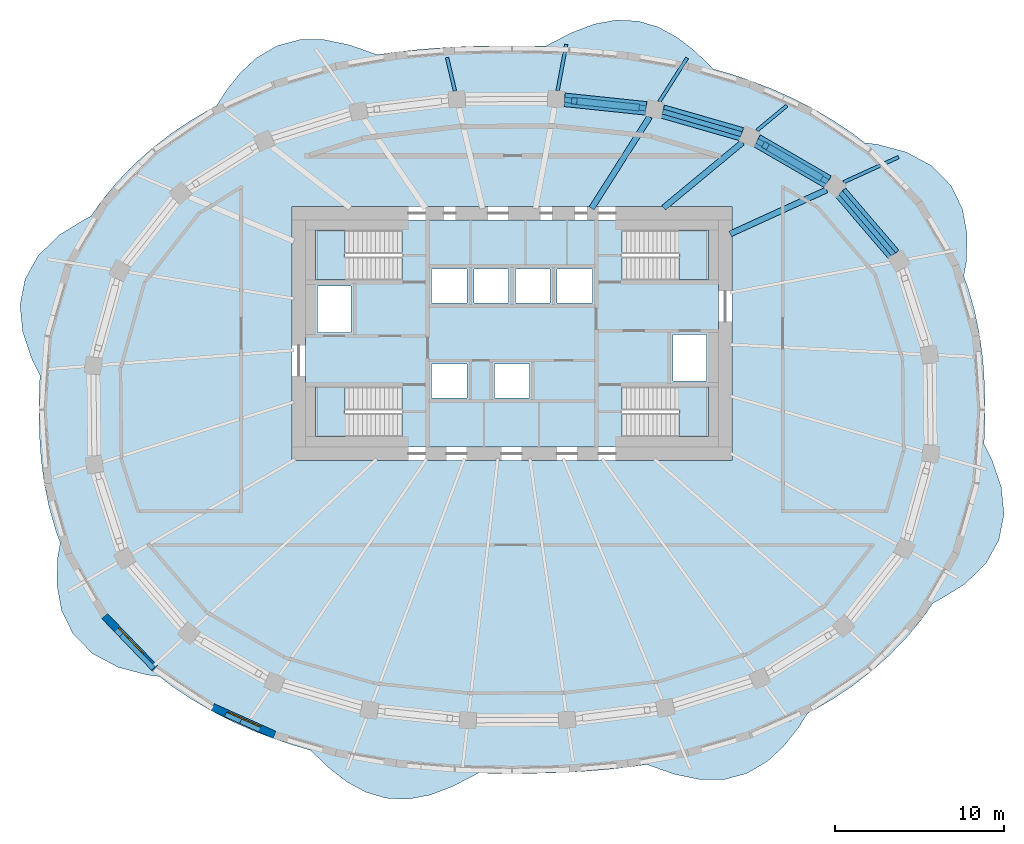
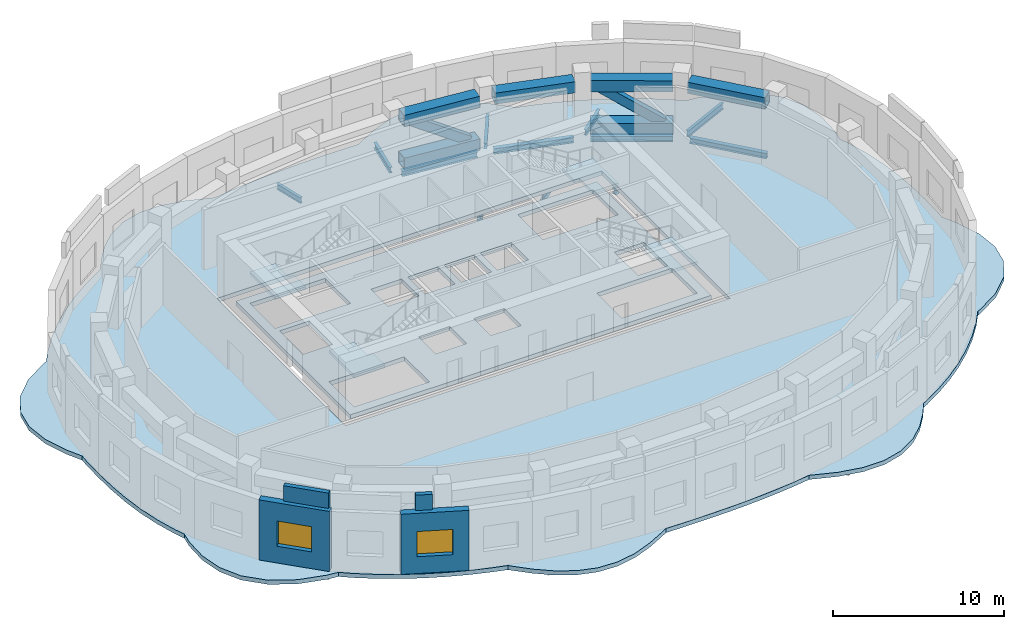
# One storey, part 3 of 9: 12 beams, 8 members, 6 slabs, 4 walls, 2 windows, 2 openings, 4 elements without a shape of their own.
"""IFC4 building model written with IfcOpenShell, lengths in metres."""

from ifc_helpers import new_model, si_unit, direction, frame, frame_2d, origin, origin_2d, place, context, subcontext, project, spatial, polyline, rectangle, hollow_rectangle, i_section, outline, extrude, material, layer, layer_set, material_profile, profile_set, type_object, element, fill, aggregate, save


model = new_model("IFC4")

# Units and contexts
model_context = context("Model", 3, precision=1e-05, world=origin(), true_north=direction((0.0, 1.0)))
body_context = subcontext(model_context, "Body", "Model", "MODEL_VIEW")
ifc_project = project(units=[si_unit("LENGTHUNIT", "METRE"), si_unit("AREAUNIT", "SQUARE_METRE"), si_unit("VOLUMEUNIT", "CUBIC_METRE"), si_unit("PLANEANGLEUNIT", "RADIAN"), si_unit("MASSUNIT", "GRAM", prefix="KILO")], contexts=[model_context])

# Site, building, storey
site_placement = place(None, origin())
site = spatial("IfcSite", under=ifc_project, at=site_placement, CompositionType="ELEMENT")
building_placement = place(site_placement, origin())
building = spatial("IfcBuilding", under=site, at=building_placement, Name="Rubra Terraces Tower", CompositionType="ELEMENT")
storey_placement = place(building_placement, frame((0.0, 0.0, 216.89990234375)))
storey = spatial("IfcBuildingStorey", under=building, at=storey_placement, Name="L53", CompositionType="ELEMENT", Elevation=216.89990234375)

# Members
ifc_material_1 = material(Name="Steel Q355B", Category="steel")
ifc_material_profile_1 = material_profile(ifc_material_1, hollow_rectangle(XDim=0.800048828125, YDim=0.800048828125, WallThickness=0.0400390625, at=origin_2d()), Name="BOX 800x800x40")
ifc_profile_set_1 = profile_set([ifc_material_profile_1], Name="Steel Q355B")
member_type_1 = type_object("IfcMemberType", Name="BELT TRUSS BOTTOM CHORD R5 BOX 800x800x40", PredefinedType="CHORD", material=ifc_profile_set_1)
member_1_placement = place(storey_placement, frame((18.658935546875, 13.4599609375, 0.400146484375), z_axis=(-0.86517269903, 0.501474028095, 0.0), x_axis=(-0.501474028095, -0.86517269903, 0.0)))
element("IfcMember", 1, at=member_1_placement, inside=storey, type_object=member_type_1, Name="BELT TRUSS CHORD R5", PredefinedType="CHORD", context=body_context, shape_type="SweptSolid", body=[
    extrude(hollow_rectangle(XDim=0.800048828125, YDim=0.800048828125, WallThickness=0.0400390625, at=origin_2d()), origin(), (0.0, 0.0, 1.0), 4.8359375),
])
member_2_placement = place(storey_placement, frame((7.925048828125, 17.801025390625, 0.400146484375), z_axis=(-0.9945719697, 0.10405093506, 0.0), x_axis=(-0.10405093506, -0.9945719697, 0.0)))
element("IfcMember", 2, at=member_2_placement, inside=storey, type_object=member_type_1, Name="BELT TRUSS CHORD R5", PredefinedType="CHORD", context=body_context, shape_type="SweptSolid", body=[
    extrude(hollow_rectangle(XDim=0.800048828125, YDim=0.800048828125, WallThickness=0.0400390625, at=origin_2d()), origin(), (0.0, 0.0, 1.0), 4.852294921875),
])
ifc_material_profile_2 = material_profile(ifc_material_1, hollow_rectangle(XDim=0.39990234375, YDim=0.60009765625, WallThickness=0.02490234375, at=origin_2d()), Name="BOX 600x400x25")
ifc_profile_set_2 = profile_set([ifc_material_profile_2], Name="Steel Q355B")
member_type_2 = type_object("IfcMemberType", Name="BELT TRUSS DIAGONAL R5 BOX 600x400x25", PredefinedType="BRACE", material=ifc_profile_set_2)
member_3_placement = place(storey_placement, frame((18.156982421875, 13.7509765625, 0.7001953125), z_axis=(-0.719557663627, 0.417039600976, 0.555260965613), x_axis=(-0.501444689065, -0.865189703943, 0.0)))
element("IfcMember", 3, at=member_3_placement, inside=storey, type_object=member_type_2, Name="BELT TRUSS DIAGONAL R5", PredefinedType="BRACE", context=body_context, shape_type="SweptSolid", body=[
    extrude(hollow_rectangle(XDim=0.39990234375, YDim=0.60009765625, WallThickness=0.02490234375, at=origin_2d()), origin(), (0.0, 0.0, 1.0), 4.419189453125),
])
member_4_placement = place(storey_placement, frame((7.345947265625, 17.862060546875, 0.7001953125), z_axis=(-0.828042073999, 0.086474841194, 0.553957061087), x_axis=(-0.103868038847, -0.994591087084, 0.0)))
element("IfcMember", 4, at=member_4_placement, inside=storey, type_object=member_type_2, Name="BELT TRUSS DIAGONAL R5", PredefinedType="BRACE", context=body_context, shape_type="SweptSolid", body=[
    extrude(hollow_rectangle(XDim=0.39990234375, YDim=0.60009765625, WallThickness=0.02490234375, at=origin_2d()), origin(), (0.0, 0.0, 1.0), 4.4296875),
])
ifc_material_profile_3 = material_profile(ifc_material_1, hollow_rectangle(XDim=0.800048828125, YDim=0.800048828125, WallThickness=0.0400390625, at=origin_2d()), Name="BOX 800x800x40")
ifc_profile_set_3 = profile_set([ifc_material_profile_3], Name="Steel Q355B")
member_type_3 = type_object("IfcMemberType", Name="BELT TRUSS TOP CHORD R5 BOX 800x800x40", PredefinedType="CHORD", material=ifc_profile_set_3)
member_5_placement = place(storey_placement, frame((22.553955078125, 9.1669921875, 3.4541015625), z_axis=(-0.650553675179, 0.759460279219, 0.0), x_axis=(-0.759460279219, -0.650553675179, 0.0)))
element("IfcMember", 5, at=member_5_placement, inside=storey, type_object=member_type_3, Name="BELT TRUSS CHORD R5", PredefinedType="CHORD", context=body_context, shape_type="SweptSolid", body=[
    extrude(hollow_rectangle(XDim=0.800048828125, YDim=0.800048828125, WallThickness=0.0400390625, at=origin_2d()), origin(), (0.0, 0.0, 1.0), 4.822021484375),
])
member_6_placement = place(storey_placement, frame((18.658935546875, 13.4599609375, 3.4541015625), z_axis=(-0.86517269903, 0.501474028095, 0.0), x_axis=(-0.501474028095, -0.86517269903, 0.0)))
element("IfcMember", 6, at=member_6_placement, inside=storey, type_object=member_type_3, Name="BELT TRUSS CHORD R5", PredefinedType="CHORD", context=body_context, shape_type="SweptSolid", body=[
    extrude(hollow_rectangle(XDim=0.800048828125, YDim=0.800048828125, WallThickness=0.0400390625, at=origin_2d()), origin(), (0.0, 0.0, 1.0), 4.8359375),
])
member_7_placement = place(storey_placement, frame((13.56103515625, 16.27392578125, 3.4541015625), z_axis=(-0.961179095987, 0.275925253353, 0.0), x_axis=(-0.275925253353, -0.961179095987, 0.0)))
element("IfcMember", 7, at=member_7_placement, inside=storey, type_object=member_type_3, Name="BELT TRUSS CHORD R5", PredefinedType="CHORD", context=body_context, shape_type="SweptSolid", body=[
    extrude(hollow_rectangle(XDim=0.800048828125, YDim=0.800048828125, WallThickness=0.0400390625, at=origin_2d()), origin(), (0.0, 0.0, 1.0), 4.84619140625),
])
member_8_placement = place(storey_placement, frame((7.925048828125, 17.801025390625, 3.4541015625), z_axis=(-0.9945719697, 0.10405093506, 0.0), x_axis=(-0.10405093506, -0.9945719697, 0.0)))
element("IfcMember", 8, at=member_8_placement, inside=storey, type_object=member_type_3, Name="BELT TRUSS CHORD R5", PredefinedType="CHORD", context=body_context, shape_type="SweptSolid", body=[
    extrude(hollow_rectangle(XDim=0.800048828125, YDim=0.800048828125, WallThickness=0.0400390625, at=origin_2d()), origin(), (0.0, 0.0, 1.0), 4.852294921875),
])

# Beams
ifc_material_profile_4 = material_profile(ifc_material_1, i_section(OverallWidth=0.199951171875, OverallDepth=0.39990234375, WebThickness=0.008056640625, FlangeThickness=0.012939453125, at=origin_2d()), Name="HN 400x200x8x13")
ifc_profile_set_4 = profile_set([ifc_material_profile_4], Name="Steel Q355B")
beam_type_1 = type_object("IfcBeamType", Name="CANTILEVER BEAM HN 400x200x8x13", PredefinedType="BEAM", material=ifc_profile_set_4)
beam_1_placement = place(storey_placement, frame((14.47509765625, 16.4951171875, -0.5), z_axis=(0.769939283083, 0.63811715254, 0.0), x_axis=(-0.63811715254, 0.769939283083, 0.0)))
element("IfcBeam", 9, at=beam_1_placement, inside=storey, type_object=beam_type_1, Name="beam-L53-cant-04", PredefinedType="BEAM", context=body_context, shape_type="SweptSolid", body=[
    extrude(i_section(OverallWidth=0.199951171875, OverallDepth=0.39990234375, WebThickness=0.008056640625, FlangeThickness=0.012939453125, at=origin_2d()), origin(), (0.0, 0.0, 1.0), 2.291015625),
])
beam_2_placement = place(storey_placement, frame((8.7099609375, 18.201904296875, -0.5), z_axis=(0.536555231363, 0.843865204696, 0.0), x_axis=(-0.843865204696, 0.536555231363, 0.0)))
element("IfcBeam", 10, at=beam_2_placement, inside=storey, type_object=beam_type_1, Name="beam-L53-cant-05", PredefinedType="BEAM", context=body_context, shape_type="SweptSolid", body=[
    extrude(i_section(OverallWidth=0.199951171875, OverallDepth=0.39990234375, WebThickness=0.008056640625, FlangeThickness=0.012939453125, at=origin_2d()), origin(), (0.0, 0.0, 1.0), 3.05859375),
])
beam_3_placement = place(storey_placement, frame((2.695068359375, 18.85400390625, -0.5), z_axis=(0.184719314681, 0.982791318024, 0.0), x_axis=(-0.982791318024, 0.184719314681, 0.0)))
element("IfcBeam", 11, at=beam_3_placement, inside=storey, type_object=beam_type_1, Name="beam-L53-cant-06", PredefinedType="BEAM", context=body_context, shape_type="SweptSolid", body=[
    extrude(i_section(OverallWidth=0.199951171875, OverallDepth=0.39990234375, WebThickness=0.008056640625, FlangeThickness=0.012939453125, at=origin_2d()), origin(), (0.0, 0.0, 1.0), 2.771484375),
])
beam_4_placement = place(storey_placement, frame((-3.3701171875, 18.823974609375, -0.5), z_axis=(-0.229146211708, 0.97339201438, 0.0), x_axis=(-0.97339201438, -0.229146211708, 0.0)))
element("IfcBeam", 12, at=beam_4_placement, inside=storey, type_object=beam_type_1, Name="beam-L53-cant-07", PredefinedType="BEAM", context=body_context, shape_type="SweptSolid", body=[
    extrude(i_section(OverallWidth=0.199951171875, OverallDepth=0.39990234375, WebThickness=0.008056640625, FlangeThickness=0.012939453125, at=origin_2d()), origin(), (0.0, 0.0, 1.0), 2.037109375),
])
ifc_material_profile_5 = material_profile(ifc_material_1, i_section(OverallWidth=0.198974609375, OverallDepth=0.446044921875, WebThickness=0.008056640625, FlangeThickness=0.011962890625, at=origin_2d()), Name="HN 446x199x8x12")
ifc_profile_set_5 = profile_set([ifc_material_profile_5], Name="Steel Q355B")
beam_type_2 = type_object("IfcBeamType", Name="CANTILEVER BEAM HN 446x199x8x12", PredefinedType="BEAM", material=ifc_profile_set_5)
beam_5_placement = place(storey_placement, frame((19.596923828125, 13.43896484375, -0.52294921875), z_axis=(0.909750987553, 0.415154357614, 0.0), x_axis=(-0.415154357614, 0.909750987553, 0.0)))
element("IfcBeam", 13, at=beam_5_placement, inside=storey, type_object=beam_type_2, Name="beam-L53-cant-03", PredefinedType="BEAM", context=body_context, shape_type="SweptSolid", body=[
    extrude(i_section(OverallWidth=0.198974609375, OverallDepth=0.446044921875, WebThickness=0.008056640625, FlangeThickness=0.011962890625, at=origin_2d()), origin(), (0.0, 0.0, 1.0), 3.56494140625),
])
ifc_material_profile_6 = material_profile(ifc_material_1, i_section(OverallWidth=0.35009765625, OverallDepth=0.35009765625, WebThickness=0.011962890625, FlangeThickness=0.01904296875, at=origin_2d()), Name="HW 350x350x12x19")
ifc_profile_set_6 = profile_set([ifc_material_profile_6], Name="Steel Q355B")
beam_type_3 = type_object("IfcBeamType", Name="FLOOR BEAM HW 350x350x12x19", PredefinedType="BEAM", material=ifc_profile_set_6)
beam_6_placement = place(storey_placement, frame((18.5869140625, 12.97900390625, -0.474853515625), z_axis=(-0.909756526533, -0.415142219523, 0.0), x_axis=(0.415142219523, -0.909756526533, 0.0)))
element("IfcBeam", 14, at=beam_6_placement, inside=storey, type_object=beam_type_3, Name="beam-L53-floor-03", PredefinedType="BEAM", context=body_context, shape_type="SweptSolid", body=[
    extrude(i_section(OverallWidth=0.35009765625, OverallDepth=0.35009765625, WebThickness=0.011962890625, FlangeThickness=0.01904296875, at=origin_2d()), origin(), (0.0, 0.0, 1.0), 6.2607421875),
])
beam_7_placement = place(storey_placement, frame((13.60888671875, 15.777099609375, -0.474853515625), z_axis=(-0.769987518392, -0.638058948312, 0.0), x_axis=(0.638058948312, -0.769987518392, 0.0)))
element("IfcBeam", 15, at=beam_7_placement, inside=storey, type_object=beam_type_3, Name="beam-L53-floor-04", PredefinedType="BEAM", context=body_context, shape_type="SweptSolid", body=[
    extrude(i_section(OverallWidth=0.35009765625, OverallDepth=0.35009765625, WebThickness=0.011962890625, FlangeThickness=0.01904296875, at=origin_2d()), origin(), (0.0, 0.0, 1.0), 6.040283203125),
])
beam_8_placement = place(storey_placement, frame((8.134033203125, 17.2958984375, -0.474853515625), z_axis=(-0.536509861106, -0.843894050776, 0.0), x_axis=(0.843894050776, -0.536509861106, 0.0)))
element("IfcBeam", 16, at=beam_8_placement, inside=storey, type_object=beam_type_3, Name="beam-L53-floor-05", PredefinedType="BEAM", context=body_context, shape_type="SweptSolid", body=[
    extrude(i_section(OverallWidth=0.35009765625, OverallDepth=0.35009765625, WebThickness=0.011962890625, FlangeThickness=0.01904296875, at=origin_2d()), origin(), (0.0, 0.0, 1.0), 6.395263671875),
])
ifc_material_profile_7 = material_profile(ifc_material_1, i_section(OverallWidth=0.300048828125, OverallDepth=0.389892578125, WebThickness=0.010009765625, FlangeThickness=0.01611328125, at=origin_2d()), Name="HM 390x300x10x16")
ifc_profile_set_7 = profile_set([ifc_material_profile_7], Name="Steel Q355B")
beam_type_4 = type_object("IfcBeamType", Name="SPANDREL BEAM HM 390x300x10x16", PredefinedType="SPANDREL", material=ifc_profile_set_7)
beam_9_placement = place(storey_placement, frame((22.547119140625, 9.174072265625, -0.494873046875), z_axis=(-0.650372836218, 0.759615148552, 0.0), x_axis=(-0.759615148552, -0.650372836218, 0.0)))
element("IfcBeam", 17, at=beam_9_placement, inside=storey, type_object=beam_type_4, Name="beam-L53-spandrel-02", PredefinedType="SPANDREL", context=body_context, shape_type="SweptSolid", body=[
    extrude(i_section(OverallWidth=0.300048828125, OverallDepth=0.389892578125, WebThickness=0.010009765625, FlangeThickness=0.01611328125, at=origin_2d()), origin(), (0.0, 0.0, 1.0), 4.804931640625),
])
beam_10_placement = place(storey_placement, frame((18.653076171875, 13.462890625, -0.494873046875), z_axis=(-0.865153680787, 0.501506838059, 0.0), x_axis=(-0.501506838059, -0.865153680787, 0.0)))
element("IfcBeam", 18, at=beam_10_placement, inside=storey, type_object=beam_type_4, Name="beam-L53-spandrel-03", PredefinedType="SPANDREL", context=body_context, shape_type="SweptSolid", body=[
    extrude(i_section(OverallWidth=0.300048828125, OverallDepth=0.389892578125, WebThickness=0.010009765625, FlangeThickness=0.01611328125, at=origin_2d()), origin(), (0.0, 0.0, 1.0), 4.82568359375),
])
beam_11_placement = place(storey_placement, frame((13.55810546875, 16.27490234375, -0.494873046875), z_axis=(-0.961171164323, 0.275952881621, 0.0), x_axis=(-0.275952881621, -0.961171164323, 0.0)))
element("IfcBeam", 19, at=beam_11_placement, inside=storey, type_object=beam_type_4, Name="beam-L53-spandrel-04", PredefinedType="SPANDREL", context=body_context, shape_type="SweptSolid", body=[
    extrude(i_section(OverallWidth=0.300048828125, OverallDepth=0.389892578125, WebThickness=0.010009765625, FlangeThickness=0.01611328125, at=origin_2d()), origin(), (0.0, 0.0, 1.0), 4.842041015625),
])
beam_12_placement = place(storey_placement, frame((7.923095703125, 17.801025390625, -0.494873046875), z_axis=(-0.994565426955, 0.104113454971, 0.0), x_axis=(-0.104113454971, -0.994565426955, 0.0)))
element("IfcBeam", 20, at=beam_12_placement, inside=storey, type_object=beam_type_4, Name="beam-L53-spandrel-05", PredefinedType="SPANDREL", context=body_context, shape_type="SweptSolid", body=[
    extrude(i_section(OverallWidth=0.300048828125, OverallDepth=0.389892578125, WebThickness=0.010009765625, FlangeThickness=0.01611328125, at=origin_2d()), origin(), (0.0, 0.0, 1.0), 4.849365234375),
])

# Slab
ifc_material_2 = material(Name="Concrete C40", Category="concrete")
ifc_layer_1 = layer(ifc_material_2, 0.300048828125)
ifc_layer_set_1 = layer_set([ifc_layer_1], Name="Concrete C40")
slab_type_1 = type_object("IfcSlabType", Name="Core floor slab 300 concrete", PredefinedType="FLOOR", material=ifc_layer_set_1)
slab_1_placement = place(storey_placement, frame((0.0, 0.0, -0.2998046875)))
element("IfcSlab", 21, at=slab_1_placement, inside=storey, type_object=slab_type_1, Name="CORE FLOOR SLAB L53", PredefinedType="FLOOR", context=body_context, shape_type="SweptSolid", body=[
    extrude(outline(polyline([(-12.199951171875, -2.199951171875), (-12.199951171875, 11.199951171875), (12.199951171875, 11.199951171875), (12.199951171875, -2.199951171875), (-12.199951171875, -2.199951171875)]), holes=[polyline([(11.597900390625, 1.347900390625), (6.501953125, 1.347900390625), (6.501953125, -1.597900390625), (11.597900390625, -1.597900390625), (11.597900390625, 1.347900390625)]), polyline([(11.597900390625, 7.652099609375), (11.597900390625, 10.597900390625), (6.501953125, 10.597900390625), (6.501953125, 7.652099609375), (11.597900390625, 7.652099609375)]), polyline([(9.5, 1.699951171875), (11.5, 1.699951171875), (11.5, 4.449951171875), (9.5, 4.449951171875), (9.5, 1.699951171875)]), polyline([(4.75, 6.300048828125), (4.75, 8.300048828125), (2.64990234375, 8.300048828125), (2.64990234375, 6.300048828125), (4.75, 6.300048828125)]), polyline([(2.25, 8.300048828125), (0.199951171875, 8.300048828125), (0.199951171875, 6.300048828125), (2.25, 6.300048828125), (2.25, 8.300048828125)]), polyline([(1.02490234375, 0.699951171875), (1.02490234375, 2.699951171875), (-1.02490234375, 2.699951171875), (-1.02490234375, 0.699951171875), (1.02490234375, 0.699951171875)]), polyline([(-0.199951171875, 6.300048828125), (-0.199951171875, 8.300048828125), (-2.25, 8.300048828125), (-2.25, 6.300048828125), (-0.199951171875, 6.300048828125)]), polyline([(-4.75, 8.300048828125), (-4.75, 6.300048828125), (-2.64990234375, 6.300048828125), (-2.64990234375, 8.300048828125), (-4.75, 8.300048828125)]), polyline([(-2.64990234375, 0.699951171875), (-2.64990234375, 2.699951171875), (-4.75, 2.699951171875), (-4.75, 0.699951171875), (-2.64990234375, 0.699951171875)]), polyline([(-11.597900390625, -1.597900390625), (-6.501953125, -1.597900390625), (-6.501953125, 1.347900390625), (-11.597900390625, 1.347900390625), (-11.597900390625, -1.597900390625)]), polyline([(-11.597900390625, 10.597900390625), (-11.597900390625, 7.652099609375), (-6.501953125, 7.652099609375), (-6.501953125, 10.597900390625), (-11.597900390625, 10.597900390625)]), polyline([(-9.5, 4.550048828125), (-9.5, 7.300048828125), (-11.5, 7.300048828125), (-11.5, 4.550048828125), (-9.5, 4.550048828125)])]), origin(), (0.0, 0.0, 1.0), 0.2998046875),
])

# Stair, slab
stair_type = type_object("IfcStairType", Name="Core stair 1400", PredefinedType="HALF_TURN_STAIR", material=ifc_material_2)
stair_1_placement = place(storey_placement, origin())
stair_1 = element("IfcStair", 22, at=stair_1_placement, inside=storey, type_object=stair_type, Name="L53 Exit stair S1", PredefinedType="HALF_TURN_STAIR")
ifc_layer_2 = layer(ifc_material_2, 0.199951171875)
ifc_layer_set_2 = layer_set([ifc_layer_2], Name="Concrete C40")
slab_type_2 = type_object("IfcSlabType", Name="Core stair landing 200", PredefinedType="LANDING", material=ifc_layer_set_2)
slab_2_placement = place(storey_placement, frame((0.0, 0.0, 2.050048828125)))
slab_2 = element("IfcSlab", 23, at=slab_2_placement, type_object=slab_type_2, Name="S1 landing 1", PredefinedType="LANDING", context=body_context, shape_type="SweptSolid", body=[
    extrude(outline(polyline([(-9.5, -0.199951171875), (-9.5, -1.60009765625), (-9.8798828125, -1.60009765625), (-9.89990234375, -1.60009765625), (-11.60009765625, -1.60009765625), (-11.60009765625, 1.35009765625), (-9.89990234375, 1.35009765625), (-9.8779296875, 1.35009765625), (-9.8779296875, -0.050048828125), (-9.8798828125, -0.050048828125), (-9.8798828125, -0.199951171875), (-9.5, -0.199951171875)])), origin(), (0.0, 0.0, 1.0), 0.199951171875),
])
aggregate(stair_1, [slab_2])

stair_2_placement = place(storey_placement, origin())
stair_2 = element("IfcStair", 24, at=stair_2_placement, inside=storey, type_object=stair_type, Name="L53 Exit stair S2", PredefinedType="HALF_TURN_STAIR")
slab_3_placement = place(storey_placement, frame((0.0, 0.0, 2.050048828125)))
slab_3 = element("IfcSlab", 25, at=slab_3_placement, type_object=slab_type_2, Name="S2 landing 1", PredefinedType="LANDING", context=body_context, shape_type="SweptSolid", body=[
    extrude(outline(polyline([(-9.5, 9.050048828125), (-9.5, 7.64990234375), (-9.89990234375, 7.64990234375), (-11.60009765625, 7.64990234375), (-11.60009765625, 10.60009765625), (-9.89990234375, 10.60009765625), (-9.8798828125, 10.60009765625), (-9.8779296875, 10.60009765625), (-9.8779296875, 9.199951171875), (-9.8798828125, 9.199951171875), (-9.8798828125, 9.050048828125), (-9.5, 9.050048828125)])), origin(), (0.0, 0.0, 1.0), 0.199951171875),
])
aggregate(stair_2, [slab_3])

stair_3_placement = place(storey_placement, origin())
stair_3 = element("IfcStair", 26, at=stair_3_placement, inside=storey, type_object=stair_type, Name="L53 Exit stair S3", PredefinedType="HALF_TURN_STAIR")
slab_4_placement = place(storey_placement, frame((0.0, 0.0, 2.050048828125)))
slab_4 = element("IfcSlab", 27, at=slab_4_placement, type_object=slab_type_2, Name="S3 landing 1", PredefinedType="LANDING", context=body_context, shape_type="SweptSolid", body=[
    extrude(outline(polyline([(9.8798828125, 9.050048828125), (9.8798828125, 9.199951171875), (9.5, 9.199951171875), (9.5, 10.60009765625), (9.8798828125, 10.60009765625), (9.89990234375, 10.60009765625), (11.60009765625, 10.60009765625), (11.60009765625, 7.64990234375), (9.89990234375, 7.64990234375), (9.8779296875, 7.64990234375), (9.8779296875, 9.050048828125), (9.8798828125, 9.050048828125)])), origin(), (0.0, 0.0, 1.0), 0.199951171875),
])
aggregate(stair_3, [slab_4])

stair_4_placement = place(storey_placement, origin())
stair_4 = element("IfcStair", 28, at=stair_4_placement, inside=storey, type_object=stair_type, Name="L53 Exit stair S4", PredefinedType="HALF_TURN_STAIR")
slab_5_placement = place(storey_placement, frame((0.0, 0.0, 2.050048828125)))
slab_5 = element("IfcSlab", 29, at=slab_5_placement, type_object=slab_type_2, Name="S4 landing 1", PredefinedType="LANDING", context=body_context, shape_type="SweptSolid", body=[
    extrude(outline(polyline([(9.8798828125, -0.199951171875), (9.8798828125, -0.050048828125), (9.5, -0.050048828125), (9.5, 1.35009765625), (9.8798828125, 1.35009765625), (9.89990234375, 1.35009765625), (11.60009765625, 1.35009765625), (11.60009765625, -1.60009765625), (9.89990234375, -1.60009765625), (9.8798828125, -1.60009765625), (9.8779296875, -1.60009765625), (9.8779296875, -0.199951171875), (9.8798828125, -0.199951171875)])), origin(), (0.0, 0.0, 1.0), 0.199951171875),
])
aggregate(stair_4, [slab_5])

# Slab
ifc_layer_3 = layer(ifc_material_2, 0.300048828125)
ifc_layer_set_3 = layer_set([ifc_layer_3], Name="Concrete C40")
slab_type_3 = type_object("IfcSlabType", Name="FLOOR SLAB 300 COMPOSITE", PredefinedType="FLOOR", material=ifc_layer_set_3)
slab_6_placement = place(storey_placement, frame((0.0, 0.0, -0.2998046875)))
element("IfcSlab", 30, at=slab_6_placement, inside=storey, type_object=slab_type_3, Name="FLOOR SLAB L53", PredefinedType="FLOOR", context=body_context, shape_type="SweptSolid", body=[
    extrude(outline(polyline([(-2.3291015625, -21.662109375), (-2.001953125, -21.47607421875), (-1.132080078125, -21.493896484375), (0.0, -21.5), (1.132080078125, -21.493896484375), (2.262939453125, -21.470947265625), (3.39404296875, -21.427001953125), (4.552978515625, -21.35498046875), (5.7099609375, -21.256103515625), (6.864013671875, -21.1259765625), (7.97705078125, -20.967041015625), (8.09912109375, -21.01806640625), (9.613037109375, -21.552001953125), (11.14208984375, -21.866943359375), (12.552978515625, -21.85595703125), (13.886962890625, -21.4951171875), (15.10009765625, -20.782958984375), (16.069091796875, -19.883056640625), (16.9140625, -18.81005859375), (17.4599609375, -17.950927734375), (17.784912109375, -17.784912109375), (18.990966796875, -17.077880859375), (20.15087890625, -16.298095703125), (21.256103515625, -15.444091796875), (22.327880859375, -14.489013671875), (23.324951171875, -13.45703125), (24.239013671875, -12.35009765625), (25.071044921875, -11.157958984375), (24.89599609375, -11.408935546875), (25.175048828125, -11.283935546875), (26.72509765625, -10.337890625), (28.0, -9.097900390625), (28.77099609375, -7.715087890625), (29.072021484375, -6.176025390625), (28.912109375, -4.5791015625), (28.365966796875, -2.970947265625), (27.887939453125, -2.013916015625), (27.925048828125, -1.464111328125), (27.949951171875, 0.0), (27.925048828125, 1.464111328125), (27.825927734375, 2.925048828125), (27.635009765625, 4.376953125), (27.342041015625, 5.81005859375), (26.93994140625, 7.217041015625), (26.693115234375, 7.8720703125), (26.843994140625, 8.721923828125), (26.89794921875, 10.322021484375), (26.618896484375, 11.860107421875), (25.9541015625, 13.22412109375), (24.791015625, 14.4169921875), (23.280029296875, 15.22412109375), (21.576904296875, 15.677001953125), (20.8369140625, 15.76806640625), (20.15087890625, 16.298095703125), (18.990966796875, 17.077880859375), (17.784912109375, 17.784912109375), (16.591064453125, 18.39599609375), (15.365966796875, 18.944091796875), (14.115966796875, 19.428955078125), (12.906982421875, 19.8359375), (11.885986328125, 20.132080078125), (11.72509765625, 20.303955078125), (10.798095703125, 21.19189453125), (9.7509765625, 22.001953125), (8.634033203125, 22.60888671875), (7.4599609375, 22.958984375), (6.156982421875, 23.02197265625), (4.837890625, 22.77490234375), (3.528076171875, 22.27490234375), (2.3291015625, 21.662109375), (2.001953125, 21.47607421875), (1.132080078125, 21.493896484375), (0.0, 21.5), (-1.132080078125, 21.493896484375), (-2.262939453125, 21.470947265625), (-3.39404296875, 21.427001953125), (-4.552978515625, 21.35498046875), (-5.7099609375, 21.256103515625), (-6.864013671875, 21.1259765625), (-7.97705078125, 20.967041015625), (-8.09912109375, 21.01806640625), (-9.613037109375, 21.552001953125), (-11.14208984375, 21.866943359375), (-12.552978515625, 21.85595703125), (-13.886962890625, 21.4951171875), (-15.10009765625, 20.782958984375), (-16.069091796875, 19.883056640625), (-16.9140625, 18.81005859375), (-17.4599609375, 17.950927734375), (-17.784912109375, 17.784912109375), (-18.990966796875, 17.077880859375), (-20.15087890625, 16.298095703125), (-21.256103515625, 15.444091796875), (-22.327880859375, 14.489013671875), (-23.324951171875, 13.45703125), (-24.239013671875, 12.35009765625), (-25.071044921875, 11.157958984375), (-24.89599609375, 11.408935546875), (-25.175048828125, 11.283935546875), (-26.72509765625, 10.337890625), (-28.0, 9.097900390625), (-28.77099609375, 7.715087890625), (-29.072021484375, 6.176025390625), (-28.912109375, 4.5791015625), (-28.365966796875, 2.970947265625), (-27.887939453125, 2.013916015625), (-27.925048828125, 1.464111328125), (-27.949951171875, 0.0), (-27.925048828125, -1.464111328125), (-27.825927734375, -2.925048828125), (-27.635009765625, -4.376953125), (-27.342041015625, -5.81005859375), (-26.93994140625, -7.217041015625), (-26.693115234375, -7.8720703125), (-26.843994140625, -8.721923828125), (-26.89794921875, -10.322021484375), (-26.618896484375, -11.860107421875), (-25.9541015625, -13.22412109375), (-24.791015625, -14.4169921875), (-23.280029296875, -15.22412109375), (-21.576904296875, -15.677001953125), (-20.8369140625, -15.76806640625), (-20.15087890625, -16.298095703125), (-18.990966796875, -17.077880859375), (-17.784912109375, -17.784912109375), (-16.591064453125, -18.39599609375), (-15.365966796875, -18.944091796875), (-14.115966796875, -19.428955078125), (-12.906982421875, -19.8359375), (-11.885986328125, -20.132080078125), (-11.72509765625, -20.303955078125), (-10.798095703125, -21.19189453125), (-9.7509765625, -22.001953125), (-8.634033203125, -22.60888671875), (-7.4599609375, -22.958984375), (-6.156982421875, -23.02197265625), (-4.837890625, -22.77490234375), (-3.528076171875, -22.27490234375), (-2.3291015625, -21.662109375)]), holes=[polyline([(13.0, 12.0), (13.0, -3.0), (-13.0, -3.0), (-13.0, 12.0), (13.0, 12.0)])]), origin(), (0.0, 0.0, 1.0), 0.2998046875),
])

# Wall, opening, window
ifc_material_3 = material(Name="Brick masonry red-brown", Category="masonry")
ifc_layer_4 = layer(ifc_material_3, 0.449951171875)
ifc_layer_set_4 = layer_set([ifc_layer_4], Name="Brick masonry red-brown")
wall_type_1 = type_object("IfcWallType", Name="Brick facade wall 450", PredefinedType="SOLIDWALL", material=ifc_layer_set_4)
wall_1_placement = place(storey_placement, frame((-24.076904296875, -12.19384765625, 0.0), z_axis=(0.0, 0.0, 1.0), x_axis=(0.69406513137, -0.719912212298, 0.0)))
wall_1 = element("IfcWall", 31, at=wall_1_placement, inside=storey, type_object=wall_type_1, Name="Facade wall L53 bay 24", PredefinedType="SOLIDWALL", context=body_context, shape_type="SweptSolid", body=[
    extrude(rectangle(XDim=4.2978515625, YDim=0.449951171875, at=frame_2d((2.14892578125, 0.0))), origin(), (0.0, 0.0, 1.0), 4.300048828125),
])
opening_1_placement = place(wall_1_placement, frame((1.098876953125, 0.0, 1.199951171875)))
opening_1 = element("IfcOpeningElement", 32, at=opening_1_placement, cuts=wall_1, Name="Opening W4", PredefinedType="OPENING", context=body_context, shape_type="SweptSolid", body=[
    extrude(rectangle(XDim=2.10009765625, YDim=1.800048828125, at=frame_2d((1.050048828125, 0.89990234375))), frame((0.0, 0.23486328125, 0.0), z_axis=(0.0, -1.0, 0.0), x_axis=(1.0, 0.0, 0.0)), (0.0, 0.0, 1.0), 0.469970703125),
])
ifc_material_4 = material(Name="Clear glass in aluminium frame", Category="aluminium")
window_type = type_object("IfcWindowType", Name="Louvred plant window 2100 x 1800", PartitioningType="SINGLE_PANEL", PredefinedType="WINDOW", material=ifc_material_4)
window_1_placement = place(opening_1_placement, origin())
window_1 = element("IfcWindow", 33, at=window_1_placement, inside=storey, type_object=window_type, Name="Window L53 bay 24", OverallHeight=1.800048828125, OverallWidth=2.10009765625, PartitioningType="SINGLE_PANEL", PredefinedType="WINDOW", context=body_context, shape_type="SweptSolid", body=[
    extrude(rectangle(XDim=2.10009765625, YDim=1.800048828125, at=frame_2d((1.050048828125, 0.89990234375))), frame((0.0, 0.135009765625, 0.0), z_axis=(0.0, -1.0, 0.0), x_axis=(1.0, 0.0, 0.0)), (0.0, 0.0, 1.0), 0.06005859375),
])
fill(opening_1, window_1)

wall_2_placement = place(storey_placement, frame((-17.693115234375, -17.57958984375, 0.0), z_axis=(0.0, 0.0, 1.0), x_axis=(0.912580432801, -0.408897240966, 0.0)))
wall_2 = element("IfcWall", 34, at=wall_2_placement, inside=storey, type_object=wall_type_1, Name="Facade wall L53 bay 26", PredefinedType="SOLIDWALL", context=body_context, shape_type="SweptSolid", body=[
    extrude(rectangle(XDim=4.020751953125, YDim=0.449951171875, at=frame_2d((2.01025390625, 0.0))), origin(), (0.0, 0.0, 1.0), 4.300048828125),
])
opening_2_placement = place(wall_2_placement, frame((0.960205078125, 0.0, 1.199951171875)))
opening_2 = element("IfcOpeningElement", 35, at=opening_2_placement, cuts=wall_2, Name="Opening W4", PredefinedType="OPENING", context=body_context, shape_type="SweptSolid", body=[
    extrude(rectangle(XDim=2.10009765625, YDim=1.800048828125, at=frame_2d((1.050048828125, 0.89990234375))), frame((0.0, 0.23486328125, 0.0), z_axis=(0.0, -1.0, 0.0), x_axis=(1.0, 0.0, 0.0)), (0.0, 0.0, 1.0), 0.469970703125),
])
window_2_placement = place(opening_2_placement, origin())
window_2 = element("IfcWindow", 36, at=window_2_placement, inside=storey, type_object=window_type, Name="Window L53 bay 26", OverallHeight=1.800048828125, OverallWidth=2.10009765625, PartitioningType="SINGLE_PANEL", PredefinedType="WINDOW", context=body_context, shape_type="SweptSolid", body=[
    extrude(rectangle(XDim=2.10009765625, YDim=1.800048828125, at=frame_2d((1.050048828125, 0.89990234375))), frame((0.0, 0.135009765625, 0.0), z_axis=(0.0, -1.0, 0.0), x_axis=(1.0, 0.0, 0.0)), (0.0, 0.0, 1.0), 0.06005859375),
])
fill(opening_2, window_2)

# Walls
ifc_layer_5 = layer(ifc_material_3, 0.300048828125)
ifc_layer_set_5 = layer_set([ifc_layer_5], Name="Brick masonry red-brown")
wall_type_2 = type_object("IfcWallType", Name="Brick parapet 300", PredefinedType="PARAPET", material=ifc_layer_set_5)
wall_3_placement = place(storey_placement, frame((-23.09765625, -13.317626953125, 4.5), z_axis=(0.0, 0.0, 1.0), x_axis=(0.694058269721, -0.71991882753, 0.0)))
element("IfcWall", 37, at=wall_3_placement, inside=storey, type_object=wall_type_2, Name="Parapet L53 bay 24", PredefinedType="PARAPET", context=body_context, shape_type="SweptSolid", body=[
    extrude(rectangle(XDim=2.747314453125, YDim=0.300048828125, at=frame_2d((1.37353515625, 0.0))), origin(), (0.0, 0.0, 1.0), 1.10009765625),
])
wall_4_placement = place(storey_placement, frame((-16.924560546875, -18.006103515625, 4.5), z_axis=(0.0, 0.0, 1.0), x_axis=(0.912512530933, -0.40904875124, 0.0)))
element("IfcWall", 38, at=wall_4_placement, inside=storey, type_object=wall_type_2, Name="Parapet L53 bay 26", PredefinedType="PARAPET", context=body_context, shape_type="SweptSolid", body=[
    extrude(rectangle(XDim=0.97998046875, YDim=0.300048828125, at=frame_2d((0.489990234375, 0.0))), origin(), (0.0, 0.0, 1.0), 1.10009765625),
])

save(model, "model.ifc")
